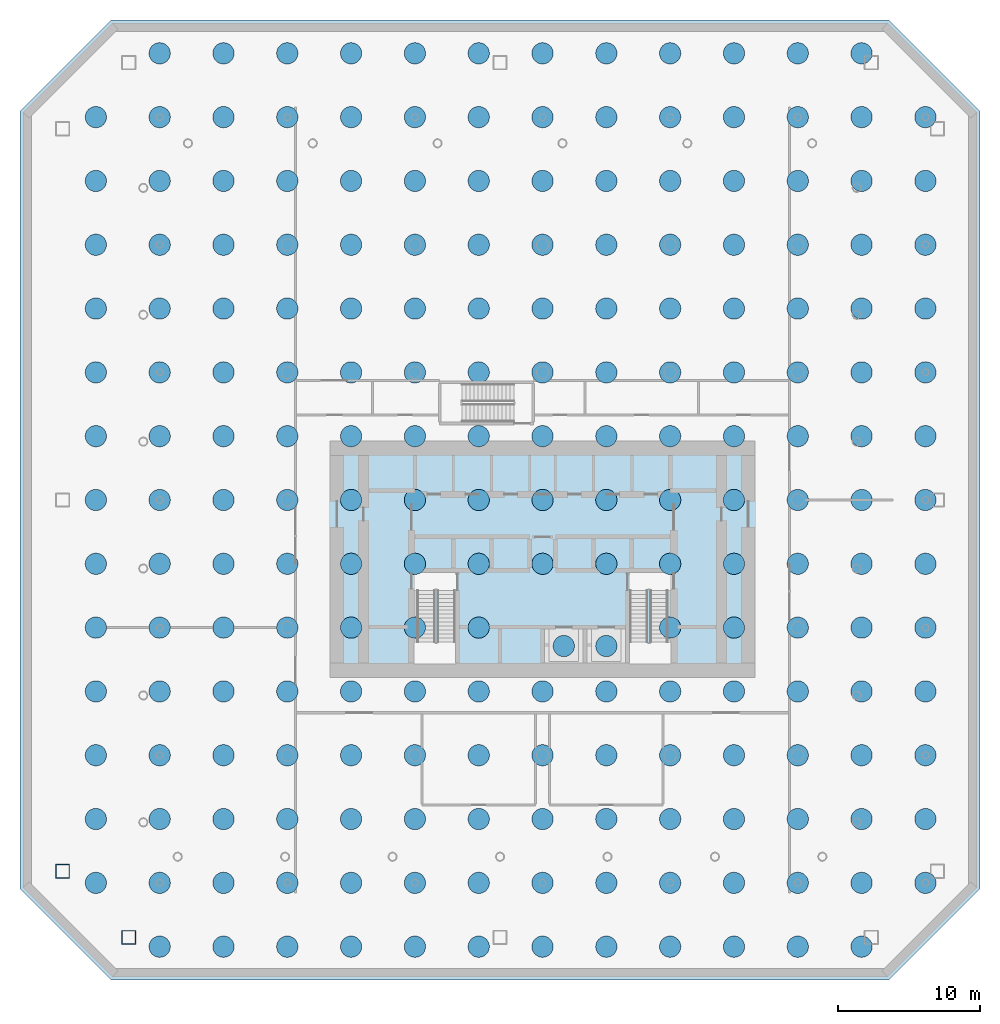
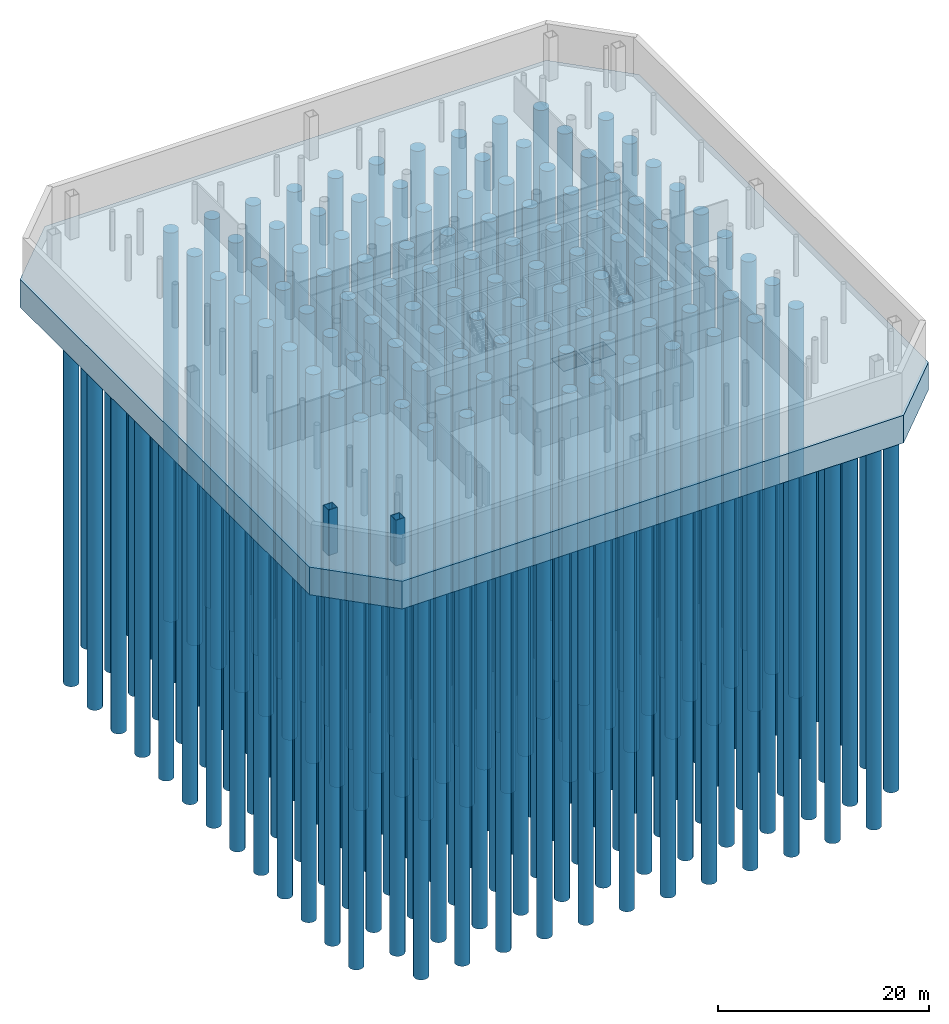
# One storey, part 1 of 10: 206 piles, 2 columns, 1 footing.
"""IFC4 building model written with IfcOpenShell, lengths in metres."""

from ifc_helpers import new_model, si_unit, direction, frame, origin, origin_2d, place, context, subcontext, project, spatial, polyline, hollow_rectangle, circle, outline, extrude, material, layer, layer_set, material_profile, profile_set, type_object, element, save


model = new_model("IFC4")

# Units and contexts
model_context = context("Model", 3, precision=1e-05, world=origin(), true_north=direction((0.0, 1.0)))
body_context = subcontext(model_context, "Body", "Model", "MODEL_VIEW")
ifc_project = project(units=[si_unit("LENGTHUNIT", "METRE"), si_unit("AREAUNIT", "SQUARE_METRE"), si_unit("VOLUMEUNIT", "CUBIC_METRE"), si_unit("PLANEANGLEUNIT", "RADIAN"), si_unit("MASSUNIT", "GRAM", prefix="KILO")], contexts=[model_context])

# Site, building, storey
site_placement = place(None, origin())
site = spatial("IfcSite", under=ifc_project, at=site_placement, CompositionType="ELEMENT")
building_placement = place(site_placement, origin())
building = spatial("IfcBuilding", under=site, at=building_placement, Name="Tskaro Facet Tower", CompositionType="ELEMENT")
storey_placement = place(building_placement, frame((0.0, 0.0, -5.0)))
storey = spatial("IfcBuildingStorey", under=building, at=storey_placement, Name="B1", CompositionType="ELEMENT", Elevation=-5.0)

# Piles
ifc_material_1 = material(Name="Concrete C35/45", Category="concrete")
ifc_material_profile_1 = material_profile(ifc_material_1, circle(Radius=0.75, at=origin_2d()), Name="Bored pile")
ifc_profile_set_1 = profile_set([ifc_material_profile_1], Name="Concrete C35/45")
pile_type = type_object("IfcPileType", Name="Bored pile", PredefinedType="BORED", material=ifc_profile_set_1)
for number, where, z_axis, x_axis, name in (
    (1, (-31.5, -27.0, -3.449951171875), (0.0, 0.0, -1.0), (1.0, 0.0, 0.0), "Bored pile P001"),
    (2, (-31.5, -22.5, -3.449951171875), (0.0, 0.0, -1.0), (1.0, 0.0, 0.0), "Bored pile P002"),
    (3, (-31.5, -18.0, -3.449951171875), (0.0, 0.0, -1.0), (1.0, 0.0, 0.0), "Bored pile P003"),
    (4, (-31.5, -13.5, -3.449951171875), (0.0, 0.0, -1.0), (1.0, 0.0, 0.0), "Bored pile P004"),
    (5, (-31.5, -9.0, -3.449951171875), (0.0, 0.0, -1.0), (1.0, 0.0, 0.0), "Bored pile P005"),
    (6, (-31.5, -4.5, -3.449951171875), (0.0, 0.0, -1.0), (1.0, 0.0, 0.0), "Bored pile P006"),
    (7, (-31.5, 0.0, -3.449951171875), (0.0, 0.0, -1.0), (1.0, 0.0, 0.0), "Bored pile P007"),
    (8, (-31.5, 4.5, -3.449951171875), (0.0, 0.0, -1.0), (1.0, 0.0, 0.0), "Bored pile P008"),
    (9, (-31.5, 9.0, -3.449951171875), (0.0, 0.0, -1.0), (1.0, 0.0, 0.0), "Bored pile P009"),
    (10, (-31.5, 13.5, -3.449951171875), (0.0, 0.0, -1.0), (1.0, 0.0, 0.0), "Bored pile P010"),
    (11, (-31.5, 18.0, -3.449951171875), (0.0, 0.0, -1.0), (1.0, 0.0, 0.0), "Bored pile P011"),
    (12, (-31.5, 22.5, -3.449951171875), (0.0, 0.0, -1.0), (1.0, 0.0, 0.0), "Bored pile P012"),
    (13, (-31.5, 27.0, -3.449951171875), (0.0, 0.0, -1.0), (1.0, 0.0, 0.0), "Bored pile P013"),
    (14, (-27.0, -31.5, -3.449951171875), (0.0, 0.0, -1.0), (1.0, 0.0, 0.0), "Bored pile P014"),
    (15, (-27.0, -27.0, -3.449951171875), (0.0, 0.0, -1.0), (1.0, 0.0, 0.0), "Bored pile P015"),
    (16, (-27.0, -22.5, -3.449951171875), (0.0, 0.0, -1.0), (1.0, 0.0, 0.0), "Bored pile P016"),
    (17, (-27.0, -18.0, -3.449951171875), (0.0, 0.0, -1.0), (1.0, 0.0, 0.0), "Bored pile P017"),
    (18, (-27.0, -13.5, -3.449951171875), (0.0, 0.0, -1.0), (1.0, 0.0, 0.0), "Bored pile P018"),
    (19, (-27.0, -9.0, -3.449951171875), (0.0, 0.0, -1.0), (1.0, 0.0, 0.0), "Bored pile P019"),
    (20, (-27.0, -4.5, -3.449951171875), (0.0, 0.0, -1.0), (1.0, 0.0, 0.0), "Bored pile P020"),
    (21, (-27.0, 0.0, -3.449951171875), (0.0, 0.0, -1.0), (1.0, 0.0, 0.0), "Bored pile P021"),
    (22, (-27.0, 4.5, -3.449951171875), (0.0, 0.0, -1.0), (1.0, 0.0, 0.0), "Bored pile P022"),
    (23, (-27.0, 9.0, -3.449951171875), (0.0, 0.0, -1.0), (1.0, 0.0, 0.0), "Bored pile P023"),
    (24, (-27.0, 13.5, -3.449951171875), (0.0, 0.0, -1.0), (1.0, 0.0, 0.0), "Bored pile P024"),
    (25, (-27.0, 18.0, -3.449951171875), (0.0, 0.0, -1.0), (1.0, 0.0, 0.0), "Bored pile P025"),
    (26, (-27.0, 22.5, -3.449951171875), (0.0, 0.0, -1.0), (1.0, 0.0, 0.0), "Bored pile P026"),
    (27, (-27.0, 27.0, -3.449951171875), (0.0, 0.0, -1.0), (1.0, 0.0, 0.0), "Bored pile P027"),
    (28, (-27.0, 31.5, -3.449951171875), (0.0, 0.0, -1.0), (1.0, 0.0, 0.0), "Bored pile P028"),
    (29, (-22.5, -31.5, -3.449951171875), (0.0, 0.0, -1.0), (1.0, 0.0, 0.0), "Bored pile P029"),
    (30, (-22.5, -27.0, -3.449951171875), (0.0, 0.0, -1.0), (1.0, 0.0, 0.0), "Bored pile P030"),
    (31, (-22.5, -22.5, -3.449951171875), (0.0, 0.0, -1.0), (1.0, 0.0, 0.0), "Bored pile P031"),
    (32, (-22.5, -18.0, -3.449951171875), (0.0, 0.0, -1.0), (1.0, 0.0, 0.0), "Bored pile P032"),
    (33, (-22.5, -13.5, -3.449951171875), (0.0, 0.0, -1.0), (1.0, 0.0, 0.0), "Bored pile P033"),
    (34, (-22.5, -9.0, -3.449951171875), (0.0, 0.0, -1.0), (1.0, 0.0, 0.0), "Bored pile P034"),
    (35, (-22.5, -4.5, -3.449951171875), (0.0, 0.0, -1.0), (1.0, 0.0, 0.0), "Bored pile P035"),
    (36, (-22.5, 0.0, -3.449951171875), (0.0, 0.0, -1.0), (1.0, 0.0, 0.0), "Bored pile P036"),
    (37, (-22.5, 4.5, -3.449951171875), (0.0, 0.0, -1.0), (1.0, 0.0, 0.0), "Bored pile P037"),
    (38, (-22.5, 9.0, -3.449951171875), (0.0, 0.0, -1.0), (1.0, 0.0, 0.0), "Bored pile P038"),
    (39, (-22.5, 13.5, -3.449951171875), (0.0, 0.0, -1.0), (1.0, 0.0, 0.0), "Bored pile P039"),
    (40, (-22.5, 18.0, -3.449951171875), (0.0, 0.0, -1.0), (1.0, 0.0, 0.0), "Bored pile P040"),
    (41, (-22.5, 22.5, -3.449951171875), (0.0, 0.0, -1.0), (1.0, 0.0, 0.0), "Bored pile P041"),
    (42, (-22.5, 27.0, -3.449951171875), (0.0, 0.0, -1.0), (1.0, 0.0, 0.0), "Bored pile P042"),
    (43, (-22.5, 31.5, -3.449951171875), (0.0, 0.0, -1.0), (1.0, 0.0, 0.0), "Bored pile P043"),
    (44, (-18.0, -31.5, -3.449951171875), (0.0, 0.0, -1.0), (1.0, 0.0, 0.0), "Bored pile P044"),
    (45, (-18.0, -27.0, -3.449951171875), (0.0, 0.0, -1.0), (1.0, 0.0, 0.0), "Bored pile P045"),
    (46, (-18.0, -22.5, -3.449951171875), (0.0, 0.0, -1.0), (1.0, 0.0, 0.0), "Bored pile P046"),
    (47, (-18.0, -18.0, -3.449951171875), (0.0, 0.0, -1.0), (1.0, 0.0, 0.0), "Bored pile P047"),
    (48, (-18.0, -13.5, -3.449951171875), (0.0, 0.0, -1.0), (1.0, 0.0, 0.0), "Bored pile P048"),
    (49, (-18.0, -9.0, -3.449951171875), (0.0, 0.0, -1.0), (1.0, 0.0, 0.0), "Bored pile P049"),
    (50, (-18.0, -4.5, -3.449951171875), (0.0, 0.0, -1.0), (1.0, 0.0, 0.0), "Bored pile P050"),
    (51, (-18.0, 0.0, -3.449951171875), (0.0, 0.0, -1.0), (1.0, 0.0, 0.0), "Bored pile P051"),
    (52, (-18.0, 4.5, -3.449951171875), (0.0, 0.0, -1.0), (1.0, 0.0, 0.0), "Bored pile P052"),
    (53, (-18.0, 9.0, -3.449951171875), (0.0, 0.0, -1.0), (1.0, 0.0, 0.0), "Bored pile P053"),
    (54, (-18.0, 13.5, -3.449951171875), (0.0, 0.0, -1.0), (1.0, 0.0, 0.0), "Bored pile P054"),
    (55, (-18.0, 18.0, -3.449951171875), (0.0, 0.0, -1.0), (1.0, 0.0, 0.0), "Bored pile P055"),
    (56, (-18.0, 22.5, -3.449951171875), (0.0, 0.0, -1.0), (1.0, 0.0, 0.0), "Bored pile P056"),
    (57, (-18.0, 27.0, -3.449951171875), (0.0, 0.0, -1.0), (1.0, 0.0, 0.0), "Bored pile P057"),
    (58, (-18.0, 31.5, -3.449951171875), (0.0, 0.0, -1.0), (1.0, 0.0, 0.0), "Bored pile P058"),
    (59, (-13.5, -31.5, -3.449951171875), (0.0, 0.0, -1.0), (1.0, 0.0, 0.0), "Bored pile P059"),
    (60, (-13.5, -27.0, -3.449951171875), (0.0, 0.0, -1.0), (1.0, 0.0, 0.0), "Bored pile P060"),
    (61, (-13.5, -22.5, -3.449951171875), (0.0, 0.0, -1.0), (1.0, 0.0, 0.0), "Bored pile P061"),
    (62, (-13.5, -18.0, -3.449951171875), (0.0, 0.0, -1.0), (1.0, 0.0, 0.0), "Bored pile P062"),
    (63, (-13.5, -13.5, -3.449951171875), (0.0, 0.0, -1.0), (1.0, 0.0, 0.0), "Bored pile P063"),
    (64, (-13.5, -9.0, -3.449951171875), (0.0, 0.0, -1.0), (1.0, 0.0, 0.0), "Bored pile P064"),
    (65, (-13.5, -4.5, -3.449951171875), (0.0, 0.0, -1.0), (1.0, 0.0, 0.0), "Bored pile P065"),
    (66, (-13.5, 0.0, -3.449951171875), (0.0, 0.0, -1.0), (1.0, 0.0, 0.0), "Bored pile P066"),
    (67, (-13.5, 4.5, -3.449951171875), (0.0, 0.0, -1.0), (1.0, 0.0, 0.0), "Bored pile P067"),
    (68, (-13.5, 9.0, -3.449951171875), (0.0, 0.0, -1.0), (1.0, 0.0, 0.0), "Bored pile P068"),
    (69, (-13.5, 13.5, -3.449951171875), (0.0, 0.0, -1.0), (1.0, 0.0, 0.0), "Bored pile P069"),
    (70, (-13.5, 18.0, -3.449951171875), (0.0, 0.0, -1.0), (1.0, 0.0, 0.0), "Bored pile P070"),
    (71, (-13.5, 22.5, -3.449951171875), (0.0, 0.0, -1.0), (1.0, 0.0, 0.0), "Bored pile P071"),
    (72, (-13.5, 27.0, -3.449951171875), (0.0, 0.0, -1.0), (1.0, 0.0, 0.0), "Bored pile P072"),
    (73, (-13.5, 31.5, -3.449951171875), (0.0, 0.0, -1.0), (1.0, 0.0, 0.0), "Bored pile P073"),
    (74, (-9.0, -31.5, -3.449951171875), (0.0, 0.0, -1.0), (1.0, 0.0, 0.0), "Bored pile P074"),
    (75, (-9.0, -27.0, -3.449951171875), (0.0, 0.0, -1.0), (1.0, 0.0, 0.0), "Bored pile P075"),
    (76, (-9.0, -22.5, -3.449951171875), (0.0, 0.0, -1.0), (1.0, 0.0, 0.0), "Bored pile P076"),
    (77, (-9.0, -18.0, -3.449951171875), (0.0, 0.0, -1.0), (1.0, 0.0, 0.0), "Bored pile P077"),
    (78, (-9.0, -13.5, -3.449951171875), (0.0, 0.0, -1.0), (1.0, 0.0, 0.0), "Bored pile P078"),
    (79, (-9.0, -9.0, -3.449951171875), (0.0, 0.0, -1.0), (1.0, 0.0, 0.0), "Bored pile P079"),
    (80, (-9.0, -4.5, -3.449951171875), (0.0, 0.0, -1.0), (1.0, 0.0, 0.0), "Bored pile P080"),
    (81, (-9.0, 0.0, -3.449951171875), (0.0, 0.0, -1.0), (1.0, 0.0, 0.0), "Bored pile P081"),
    (82, (-9.0, 4.5, -3.449951171875), (0.0, 0.0, -1.0), (1.0, 0.0, 0.0), "Bored pile P082"),
    (83, (-9.0, 9.0, -3.449951171875), (0.0, 0.0, -1.0), (1.0, 0.0, 0.0), "Bored pile P083"),
    (84, (-9.0, 13.5, -3.449951171875), (0.0, 0.0, -1.0), (1.0, 0.0, 0.0), "Bored pile P084"),
    (85, (-9.0, 18.0, -3.449951171875), (0.0, 0.0, -1.0), (1.0, 0.0, 0.0), "Bored pile P085"),
    (86, (-9.0, 22.5, -3.449951171875), (0.0, 0.0, -1.0), (1.0, 0.0, 0.0), "Bored pile P086"),
    (87, (-9.0, 27.0, -3.449951171875), (0.0, 0.0, -1.0), (1.0, 0.0, 0.0), "Bored pile P087"),
    (88, (-9.0, 31.5, -3.449951171875), (0.0, 0.0, -1.0), (1.0, 0.0, 0.0), "Bored pile P088"),
    (89, (-4.5, -31.5, -3.449951171875), (0.0, 0.0, -1.0), (1.0, 0.0, 0.0), "Bored pile P089"),
    (90, (-4.5, -27.0, -3.449951171875), (0.0, 0.0, -1.0), (1.0, 0.0, 0.0), "Bored pile P090"),
    (91, (-4.5, -22.5, -3.449951171875), (0.0, 0.0, -1.0), (1.0, 0.0, 0.0), "Bored pile P091"),
    (92, (-4.5, -18.0, -3.449951171875), (0.0, 0.0, -1.0), (1.0, 0.0, 0.0), "Bored pile P092"),
    (93, (-4.5, -13.5, -3.449951171875), (0.0, 0.0, -1.0), (1.0, 0.0, 0.0), "Bored pile P093"),
    (94, (-4.5, -9.0, -3.449951171875), (0.0, 0.0, -1.0), (1.0, 0.0, 0.0), "Bored pile P094"),
    (95, (-4.5, -4.5, -3.449951171875), (0.0, 0.0, -1.0), (1.0, 0.0, 0.0), "Bored pile P095"),
    (96, (-4.5, 0.0, -3.449951171875), (0.0, 0.0, -1.0), (1.0, 0.0, 0.0), "Bored pile P096"),
    (97, (-4.5, 4.5, -3.449951171875), (0.0, 0.0, -1.0), (1.0, 0.0, 0.0), "Bored pile P097"),
    (98, (-4.5, 9.0, -3.449951171875), (0.0, 0.0, -1.0), (1.0, 0.0, 0.0), "Bored pile P098"),
    (99, (-4.5, 13.5, -3.449951171875), (0.0, 0.0, -1.0), (1.0, 0.0, 0.0), "Bored pile P099"),
    (100, (-4.5, 18.0, -3.449951171875), (0.0, 0.0, -1.0), (1.0, 0.0, 0.0), "Bored pile P100"),
    (101, (-4.5, 22.5, -3.449951171875), (0.0, 0.0, -1.0), (1.0, 0.0, 0.0), "Bored pile P101"),
    (102, (-4.5, 27.0, -3.449951171875), (0.0, 0.0, -1.0), (1.0, 0.0, 0.0), "Bored pile P102"),
    (103, (-4.5, 31.5, -3.449951171875), (0.0, 0.0, -1.0), (1.0, 0.0, 0.0), "Bored pile P103"),
    (104, (0.0, -31.5, -3.449951171875), (0.0, 0.0, -1.0), (1.0, 0.0, 0.0), "Bored pile P104"),
    (105, (0.0, -27.0, -3.449951171875), (0.0, 0.0, -1.0), (1.0, 0.0, 0.0), "Bored pile P105"),
    (106, (0.0, -22.5, -3.449951171875), (0.0, 0.0, -1.0), (1.0, 0.0, 0.0), "Bored pile P106"),
    (107, (0.0, -18.0, -3.449951171875), (0.0, 0.0, -1.0), (1.0, 0.0, 0.0), "Bored pile P107"),
    (108, (0.0, -13.5, -3.449951171875), (0.0, 0.0, -1.0), (1.0, 0.0, 0.0), "Bored pile P108"),
    (109, (0.0, -4.5, -3.449951171875), (0.0, 0.0, -1.0), (1.0, 0.0, 0.0), "Bored pile P109"),
    (110, (0.0, 0.0, -3.449951171875), (0.0, 0.0, -1.0), (1.0, 0.0, 0.0), "Bored pile P110"),
    (111, (0.0, 4.5, -3.449951171875), (0.0, 0.0, -1.0), (1.0, 0.0, 0.0), "Bored pile P111"),
    (112, (0.0, 9.0, -3.449951171875), (0.0, 0.0, -1.0), (1.0, 0.0, 0.0), "Bored pile P112"),
    (113, (0.0, 13.5, -3.449951171875), (0.0, 0.0, -1.0), (1.0, 0.0, 0.0), "Bored pile P113"),
    (114, (0.0, 18.0, -3.449951171875), (0.0, 0.0, -1.0), (1.0, 0.0, 0.0), "Bored pile P114"),
    (115, (0.0, 22.5, -3.449951171875), (0.0, 0.0, -1.0), (1.0, 0.0, 0.0), "Bored pile P115"),
    (116, (0.0, 27.0, -3.449951171875), (0.0, 0.0, -1.0), (1.0, 0.0, 0.0), "Bored pile P116"),
    (117, (0.0, 31.5, -3.449951171875), (0.0, 0.0, -1.0), (1.0, 0.0, 0.0), "Bored pile P117"),
    (118, (4.5, -31.5, -3.449951171875), (0.0, 0.0, -1.0), (1.0, 0.0, 0.0), "Bored pile P118"),
    (119, (4.5, -27.0, -3.449951171875), (0.0, 0.0, -1.0), (1.0, 0.0, 0.0), "Bored pile P119"),
    (120, (4.5, -22.5, -3.449951171875), (0.0, 0.0, -1.0), (1.0, 0.0, 0.0), "Bored pile P120"),
    (121, (4.5, -18.0, -3.449951171875), (0.0, 0.0, -1.0), (1.0, 0.0, 0.0), "Bored pile P121"),
    (122, (4.5, -13.5, -3.449951171875), (0.0, 0.0, -1.0), (1.0, 0.0, 0.0), "Bored pile P122"),
    (123, (4.5, -4.5, -3.449951171875), (0.0, 0.0, -1.0), (1.0, 0.0, 0.0), "Bored pile P123"),
    (124, (4.5, 0.0, -3.449951171875), (0.0, 0.0, -1.0), (1.0, 0.0, 0.0), "Bored pile P124"),
    (125, (4.5, 4.5, -3.449951171875), (0.0, 0.0, -1.0), (1.0, 0.0, 0.0), "Bored pile P125"),
    (126, (4.5, 9.0, -3.449951171875), (0.0, 0.0, -1.0), (1.0, 0.0, 0.0), "Bored pile P126"),
    (127, (4.5, 13.5, -3.449951171875), (0.0, 0.0, -1.0), (1.0, 0.0, 0.0), "Bored pile P127"),
    (128, (4.5, 18.0, -3.449951171875), (0.0, 0.0, -1.0), (1.0, 0.0, 0.0), "Bored pile P128"),
    (129, (4.5, 22.5, -3.449951171875), (0.0, 0.0, -1.0), (1.0, 0.0, 0.0), "Bored pile P129"),
    (130, (4.5, 27.0, -3.449951171875), (0.0, 0.0, -1.0), (1.0, 0.0, 0.0), "Bored pile P130"),
    (131, (4.5, 31.5, -3.449951171875), (0.0, 0.0, -1.0), (1.0, 0.0, 0.0), "Bored pile P131"),
    (132, (9.0, -31.5, -3.449951171875), (0.0, 0.0, -1.0), (1.0, 0.0, 0.0), "Bored pile P132"),
    (133, (9.0, -27.0, -3.449951171875), (0.0, 0.0, -1.0), (1.0, 0.0, 0.0), "Bored pile P133"),
    (134, (9.0, -22.5, -3.449951171875), (0.0, 0.0, -1.0), (1.0, 0.0, 0.0), "Bored pile P134"),
    (135, (9.0, -18.0, -3.449951171875), (0.0, 0.0, -1.0), (1.0, 0.0, 0.0), "Bored pile P135"),
    (136, (9.0, -13.5, -3.449951171875), (0.0, 0.0, -1.0), (1.0, 0.0, 0.0), "Bored pile P136"),
    (137, (9.0, -9.0, -3.449951171875), (0.0, 0.0, -1.0), (1.0, 0.0, 0.0), "Bored pile P137"),
    (138, (9.0, -4.5, -3.449951171875), (0.0, 0.0, -1.0), (1.0, 0.0, 0.0), "Bored pile P138"),
    (139, (9.0, 0.0, -3.449951171875), (0.0, 0.0, -1.0), (1.0, 0.0, 0.0), "Bored pile P139"),
    (140, (9.0, 4.5, -3.449951171875), (0.0, 0.0, -1.0), (1.0, 0.0, 0.0), "Bored pile P140"),
    (141, (9.0, 9.0, -3.449951171875), (0.0, 0.0, -1.0), (1.0, 0.0, 0.0), "Bored pile P141"),
    (142, (9.0, 13.5, -3.449951171875), (0.0, 0.0, -1.0), (1.0, 0.0, 0.0), "Bored pile P142"),
    (143, (9.0, 18.0, -3.449951171875), (0.0, 0.0, -1.0), (1.0, 0.0, 0.0), "Bored pile P143"),
    (144, (9.0, 22.5, -3.449951171875), (0.0, 0.0, -1.0), (1.0, 0.0, 0.0), "Bored pile P144"),
    (145, (9.0, 27.0, -3.449951171875), (0.0, 0.0, -1.0), (1.0, 0.0, 0.0), "Bored pile P145"),
    (146, (9.0, 31.5, -3.449951171875), (0.0, 0.0, -1.0), (1.0, 0.0, 0.0), "Bored pile P146"),
    (147, (13.5, -31.5, -3.449951171875), (0.0, 0.0, -1.0), (1.0, 0.0, 0.0), "Bored pile P147"),
    (148, (13.5, -27.0, -3.449951171875), (0.0, 0.0, -1.0), (1.0, 0.0, 0.0), "Bored pile P148"),
    (149, (13.5, -22.5, -3.449951171875), (0.0, 0.0, -1.0), (1.0, 0.0, 0.0), "Bored pile P149"),
    (150, (13.5, -18.0, -3.449951171875), (0.0, 0.0, -1.0), (1.0, 0.0, 0.0), "Bored pile P150"),
    (151, (13.5, -13.5, -3.449951171875), (0.0, 0.0, -1.0), (1.0, 0.0, 0.0), "Bored pile P151"),
    (152, (13.5, -9.0, -3.449951171875), (0.0, 0.0, -1.0), (1.0, 0.0, 0.0), "Bored pile P152"),
    (153, (13.5, -4.5, -3.449951171875), (0.0, 0.0, -1.0), (1.0, 0.0, 0.0), "Bored pile P153"),
    (154, (13.5, 0.0, -3.449951171875), (0.0, 0.0, -1.0), (1.0, 0.0, 0.0), "Bored pile P154"),
    (155, (13.5, 4.5, -3.449951171875), (0.0, 0.0, -1.0), (1.0, 0.0, 0.0), "Bored pile P155"),
    (156, (13.5, 9.0, -3.449951171875), (0.0, 0.0, -1.0), (1.0, 0.0, 0.0), "Bored pile P156"),
    (157, (13.5, 13.5, -3.449951171875), (0.0, 0.0, -1.0), (1.0, 0.0, 0.0), "Bored pile P157"),
    (158, (13.5, 18.0, -3.449951171875), (0.0, 0.0, -1.0), (1.0, 0.0, 0.0), "Bored pile P158"),
    (159, (13.5, 22.5, -3.449951171875), (0.0, 0.0, -1.0), (1.0, 0.0, 0.0), "Bored pile P159"),
    (160, (13.5, 27.0, -3.449951171875), (0.0, 0.0, -1.0), (1.0, 0.0, 0.0), "Bored pile P160"),
    (161, (13.5, 31.5, -3.449951171875), (0.0, 0.0, -1.0), (1.0, 0.0, 0.0), "Bored pile P161"),
    (162, (18.0, -31.5, -3.449951171875), (0.0, 0.0, -1.0), (1.0, 0.0, 0.0), "Bored pile P162"),
    (163, (18.0, -27.0, -3.449951171875), (0.0, 0.0, -1.0), (1.0, 0.0, 0.0), "Bored pile P163"),
    (164, (18.0, -22.5, -3.449951171875), (0.0, 0.0, -1.0), (1.0, 0.0, 0.0), "Bored pile P164"),
    (165, (18.0, -18.0, -3.449951171875), (0.0, 0.0, -1.0), (1.0, 0.0, 0.0), "Bored pile P165"),
    (166, (18.0, -13.5, -3.449951171875), (0.0, 0.0, -1.0), (1.0, 0.0, 0.0), "Bored pile P166"),
    (167, (18.0, -9.0, -3.449951171875), (0.0, 0.0, -1.0), (1.0, 0.0, 0.0), "Bored pile P167"),
    (168, (18.0, -4.5, -3.449951171875), (0.0, 0.0, -1.0), (1.0, 0.0, 0.0), "Bored pile P168"),
    (169, (18.0, 0.0, -3.449951171875), (0.0, 0.0, -1.0), (1.0, 0.0, 0.0), "Bored pile P169"),
    (170, (18.0, 4.5, -3.449951171875), (0.0, 0.0, -1.0), (1.0, 0.0, 0.0), "Bored pile P170"),
    (171, (18.0, 9.0, -3.449951171875), (0.0, 0.0, -1.0), (1.0, 0.0, 0.0), "Bored pile P171"),
    (172, (18.0, 13.5, -3.449951171875), (0.0, 0.0, -1.0), (1.0, 0.0, 0.0), "Bored pile P172"),
    (173, (18.0, 18.0, -3.449951171875), (0.0, 0.0, -1.0), (1.0, 0.0, 0.0), "Bored pile P173"),
    (174, (18.0, 22.5, -3.449951171875), (0.0, 0.0, -1.0), (1.0, 0.0, 0.0), "Bored pile P174"),
    (175, (18.0, 27.0, -3.449951171875), (0.0, 0.0, -1.0), (1.0, 0.0, 0.0), "Bored pile P175"),
    (176, (18.0, 31.5, -3.449951171875), (0.0, 0.0, -1.0), (1.0, 0.0, 0.0), "Bored pile P176"),
    (177, (22.5, -31.5, -3.449951171875), (0.0, 0.0, -1.0), (1.0, 0.0, 0.0), "Bored pile P177"),
    (178, (22.5, -27.0, -3.449951171875), (0.0, 0.0, -1.0), (1.0, 0.0, 0.0), "Bored pile P178"),
    (179, (22.5, -22.5, -3.449951171875), (0.0, 0.0, -1.0), (1.0, 0.0, 0.0), "Bored pile P179"),
    (180, (22.5, -18.0, -3.449951171875), (0.0, 0.0, -1.0), (1.0, 0.0, 0.0), "Bored pile P180"),
    (181, (22.5, -13.5, -3.449951171875), (0.0, 0.0, -1.0), (1.0, 0.0, 0.0), "Bored pile P181"),
    (182, (22.5, -9.0, -3.449951171875), (0.0, 0.0, -1.0), (1.0, 0.0, 0.0), "Bored pile P182"),
    (183, (22.5, -4.5, -3.449951171875), (0.0, 0.0, -1.0), (1.0, 0.0, 0.0), "Bored pile P183"),
    (184, (22.5, 0.0, -3.449951171875), (0.0, 0.0, -1.0), (1.0, 0.0, 0.0), "Bored pile P184"),
    (185, (22.5, 4.5, -3.449951171875), (0.0, 0.0, -1.0), (1.0, 0.0, 0.0), "Bored pile P185"),
    (186, (22.5, 9.0, -3.449951171875), (0.0, 0.0, -1.0), (1.0, 0.0, 0.0), "Bored pile P186"),
    (187, (22.5, 13.5, -3.449951171875), (0.0, 0.0, -1.0), (1.0, 0.0, 0.0), "Bored pile P187"),
    (188, (22.5, 18.0, -3.449951171875), (0.0, 0.0, -1.0), (1.0, 0.0, 0.0), "Bored pile P188"),
    (189, (22.5, 22.5, -3.449951171875), (0.0, 0.0, -1.0), (1.0, 0.0, 0.0), "Bored pile P189"),
    (190, (22.5, 27.0, -3.449951171875), (0.0, 0.0, -1.0), (1.0, 0.0, 0.0), "Bored pile P190"),
    (191, (22.5, 31.5, -3.449951171875), (0.0, 0.0, -1.0), (1.0, 0.0, 0.0), "Bored pile P191"),
    (192, (27.0, -27.0, -3.449951171875), (0.0, 0.0, -1.0), (1.0, 0.0, 0.0), "Bored pile P192"),
    (193, (27.0, -22.5, -3.449951171875), (0.0, 0.0, -1.0), (1.0, 0.0, 0.0), "Bored pile P193"),
    (194, (27.0, -18.0, -3.449951171875), (0.0, 0.0, -1.0), (1.0, 0.0, 0.0), "Bored pile P194"),
    (195, (27.0, -13.5, -3.449951171875), (0.0, 0.0, -1.0), (1.0, 0.0, 0.0), "Bored pile P195"),
    (196, (27.0, -9.0, -3.449951171875), (0.0, 0.0, -1.0), (1.0, 0.0, 0.0), "Bored pile P196"),
    (197, (27.0, -4.5, -3.449951171875), (0.0, 0.0, -1.0), (1.0, 0.0, 0.0), "Bored pile P197"),
    (198, (27.0, 0.0, -3.449951171875), (0.0, 0.0, -1.0), (1.0, 0.0, 0.0), "Bored pile P198"),
    (199, (27.0, 4.5, -3.449951171875), (0.0, 0.0, -1.0), (1.0, 0.0, 0.0), "Bored pile P199"),
    (200, (27.0, 9.0, -3.449951171875), (0.0, 0.0, -1.0), (1.0, 0.0, 0.0), "Bored pile P200"),
    (201, (27.0, 13.5, -3.449951171875), (0.0, 0.0, -1.0), (1.0, 0.0, 0.0), "Bored pile P201"),
    (202, (27.0, 18.0, -3.449951171875), (0.0, 0.0, -1.0), (1.0, 0.0, 0.0), "Bored pile P202"),
    (203, (27.0, 22.5, -3.449951171875), (0.0, 0.0, -1.0), (1.0, 0.0, 0.0), "Bored pile P203"),
    (204, (27.0, 27.0, -3.449951171875), (0.0, 0.0, -1.0), (1.0, 0.0, 0.0), "Bored pile P204"),
    (205, (1.5, -10.300048828125, -3.449951171875), (0.0, 0.0, -1.0), (1.0, 0.0, 0.0), "Bored pile P205"),
    (206, (4.5, -10.300048828125, -3.449951171875), (0.0, 0.0, -1.0), (1.0, 0.0, 0.0), "Bored pile P206"),
):
    element("IfcPile", number, at=place(storey_placement, frame(where, z_axis=z_axis, x_axis=x_axis)), inside=storey, type_object=pile_type, Name=name, PredefinedType="BORED", context=body_context, shape_type="SweptSolid", body=[
        extrude(circle(Radius=0.75, at=origin_2d()), origin(), (0.0, 0.0, 1.0), 45.0),
    ])

# Footing
ifc_layer = layer(ifc_material_1, 3.199951171875, Name="Concrete C35/45")
ifc_layer_set = layer_set([ifc_layer], Name="Concrete C35/45")
footing_type = type_object("IfcFootingType", Name="Piled raft", PredefinedType="PILE_CAP", material=ifc_layer_set)
footing_placement = place(storey_placement, frame((0.0, 0.0, -3.449951171875)))
element("IfcFooting", 207, at=footing_placement, inside=storey, type_object=footing_type, Name="Piled raft F1", PredefinedType="PILE_CAP", context=body_context, shape_type="SweptSolid", body=[
    extrude(outline(polyline([(-30.424072265625, -33.85009765625), (24.424072265625, -33.85009765625), (30.85009765625, -27.424072265625), (30.85009765625, 27.424072265625), (24.424072265625, 33.85009765625), (-30.424072265625, 33.85009765625), (-36.85009765625, 27.424072265625), (-36.85009765625, -27.424072265625), (-30.424072265625, -33.85009765625)]), holes=[polyline([(0.14990234375, -11.5), (2.85009765625, -11.5), (2.85009765625, -9.10009765625), (0.14990234375, -9.10009765625), (0.14990234375, -11.5)]), polyline([(3.14990234375, -11.5), (5.85009765625, -11.5), (5.85009765625, -9.10009765625), (3.14990234375, -9.10009765625), (3.14990234375, -11.5)])]), origin(), (0.0, 0.0, 1.0), 3.199951171875),
])

# Columns
ifc_material_2 = material(Name="Steel S460M", Category="steel")
ifc_material_profile_2 = material_profile(ifc_material_2, hollow_rectangle(XDim=1.0, YDim=1.0, WallThickness=0.06005859375, at=origin_2d()), Name="BOX 1000x1000x60")
ifc_profile_set_2 = profile_set([ifc_material_profile_2], Name="Steel S460M")
column_type = type_object("IfcColumnType", Name="BOX 1000x1000x60 mega column", PredefinedType="COLUMN", material=ifc_profile_set_2)
for number, where, z_axis, x_axis, name in (
    (208, (-29.180908203125, -30.85009765625, -0.25), (0.0, 0.0, 1.0), (1.0, 0.0, 0.0), "BOX 1000x1000x60 MC01/G"),
    (209, (-33.85009765625, -26.180908203125, -0.25), (0.0, 0.0, 1.0), (1.0, 0.0, 0.0), "BOX 1000x1000x60 MC12/G"),
):
    element("IfcColumn", number, at=place(storey_placement, frame(where, z_axis=z_axis, x_axis=x_axis)), inside=storey, type_object=column_type, Name=name, PredefinedType="COLUMN", context=body_context, shape_type="SweptSolid", body=[
        extrude(hollow_rectangle(XDim=1.0, YDim=1.0, WallThickness=0.06005859375, at=origin_2d()), origin(), (0.0, 0.0, 1.0), 5.25),
    ])

save(model, "model.ifc")
